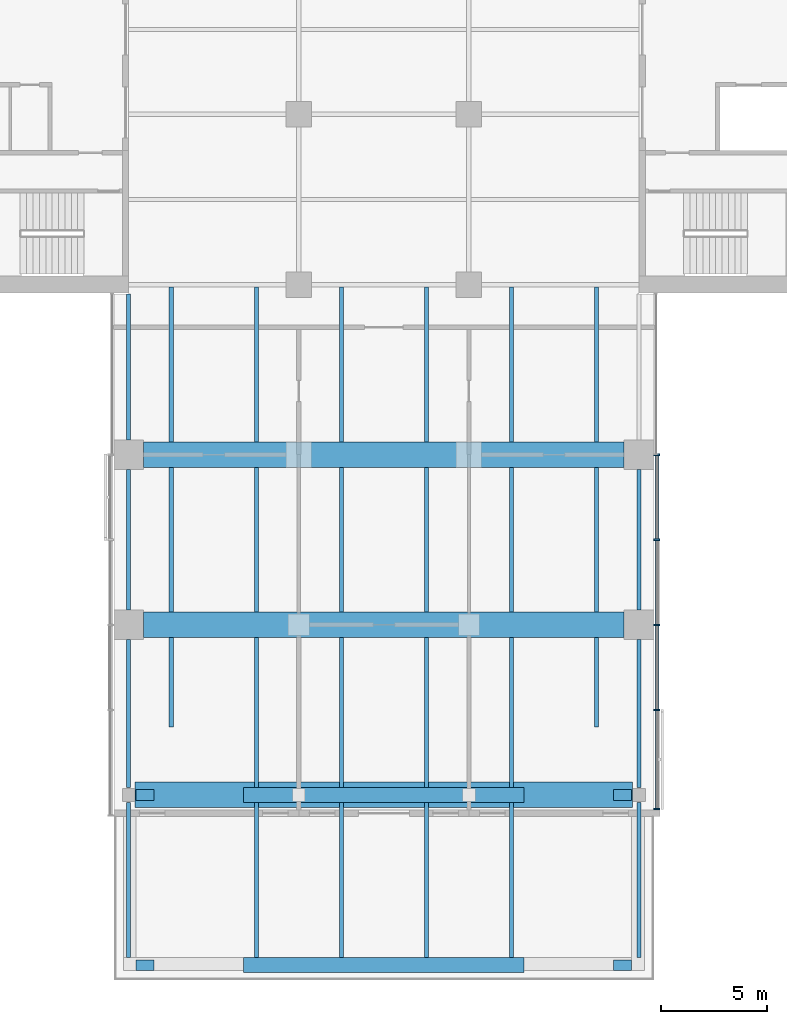
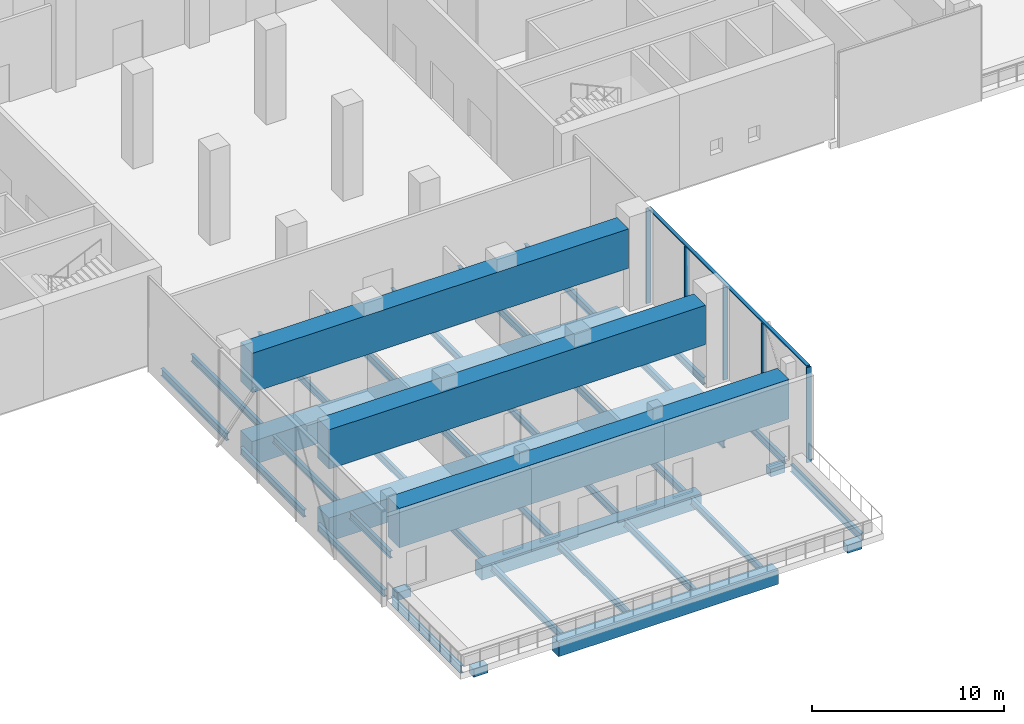
# One storey, part 4 of 23: 40 beams, 6 members, 1 element without a shape of its own.
"""IFC4 building model written with IfcOpenShell, lengths in metres."""

from ifc_helpers import new_model, si_unit, direction, frame, origin, origin_2d, place, context, subcontext, project, spatial, rectangle, i_section, extrude, material, material_profile, profile_set, type_object, element, aggregate, save


model = new_model("IFC4")

# Units and contexts
model_context = context("Model", 3, precision=1e-05, world=origin(), true_north=direction((0.0, 1.0)))
body_context = subcontext(model_context, "Body", "Model", "MODEL_VIEW")
ifc_project = project(units=[si_unit("LENGTHUNIT", "METRE"), si_unit("AREAUNIT", "SQUARE_METRE"), si_unit("VOLUMEUNIT", "CUBIC_METRE"), si_unit("PLANEANGLEUNIT", "RADIAN"), si_unit("MASSUNIT", "GRAM", prefix="KILO")], contexts=[model_context])

# Site, building, storey
site_placement = place(None, origin())
site = spatial("IfcSite", under=ifc_project, at=site_placement, CompositionType="ELEMENT")
building_placement = place(site_placement, origin())
building = spatial("IfcBuilding", under=site, at=building_placement, Name="Crosswind Convention Tower", CompositionType="ELEMENT")
storey_placement = place(building_placement, frame((0.0, 0.0, 47.5)))
storey = spatial("IfcBuildingStorey", under=building, at=storey_placement, Name="L06", CompositionType="ELEMENT", Elevation=47.5)

# Beams
ifc_material_1 = material(Name="Steel S355", Category="steel")
ifc_material_profile_1 = material_profile(ifc_material_1, i_section(OverallWidth=0.19189453125, OverallDepth=0.463623046875, WebThickness=0.010498046875, FlangeThickness=0.017578125, FilletRadius=0.01025390625, at=origin_2d()), Name="UB 457x191x90")
ifc_profile_set_1 = profile_set([ifc_material_profile_1], Name="Steel S355")
beam_type_1 = type_object("IfcBeamType", Name="Edge beam UB 457x191x90", PredefinedType="SPANDREL", material=ifc_profile_set_1)
beam_1_placement = place(storey_placement, frame((113.0, 56.35009765625, -0.6318359375), z_axis=(0.0, 1.0, 0.0), x_axis=(-1.0, 0.0, 0.0)))
element("IfcBeam", 1, at=beam_1_placement, inside=storey, type_object=beam_type_1, Name="B19 L06 edge beam 5", PredefinedType="SPANDREL", context=body_context, shape_type="SweptSolid", body=[
    extrude(i_section(OverallWidth=0.19189453125, OverallDepth=0.463623046875, WebThickness=0.010498046875, FlangeThickness=0.017578125, FilletRadius=0.01025390625, at=origin_2d()), origin(), (0.0, 0.0, 1.0), 7.2998046875),
])
beam_2_placement = place(storey_placement, frame((113.0, 64.35009765625, -0.6318359375), z_axis=(0.0, 1.0, 0.0), x_axis=(-1.0, 0.0, 0.0)))
element("IfcBeam", 2, at=beam_2_placement, inside=storey, type_object=beam_type_1, Name="B19 L06 edge beam 6", PredefinedType="SPANDREL", context=body_context, shape_type="SweptSolid", body=[
    extrude(i_section(OverallWidth=0.19189453125, OverallDepth=0.463623046875, WebThickness=0.010498046875, FlangeThickness=0.017578125, FilletRadius=0.01025390625, at=origin_2d()), origin(), (0.0, 0.0, 1.0), 6.949951171875),
])
beam_3_placement = place(storey_placement, frame((113.0, 72.699951171875, -0.6318359375), z_axis=(0.0, 1.0, 0.0), x_axis=(-1.0, 0.0, 0.0)))
element("IfcBeam", 3, at=beam_3_placement, inside=storey, type_object=beam_type_1, Name="B19 L06 edge beam 7", PredefinedType="SPANDREL", context=body_context, shape_type="SweptSolid", body=[
    extrude(i_section(OverallWidth=0.19189453125, OverallDepth=0.463623046875, WebThickness=0.010498046875, FlangeThickness=0.017578125, FilletRadius=0.01025390625, at=origin_2d()), origin(), (0.0, 0.0, 1.0), 6.60009765625),
])
beam_4_placement = place(storey_placement, frame((113.0, 80.699951171875, -0.6318359375), z_axis=(0.0, 1.0, 0.0), x_axis=(-1.0, 0.0, 0.0)))
element("IfcBeam", 4, at=beam_4_placement, inside=storey, type_object=beam_type_1, Name="B19 L06 edge beam 8", PredefinedType="SPANDREL", context=body_context, shape_type="SweptSolid", body=[
    extrude(i_section(OverallWidth=0.19189453125, OverallDepth=0.463623046875, WebThickness=0.010498046875, FlangeThickness=0.017578125, FilletRadius=0.01025390625, at=origin_2d()), origin(), (0.0, 0.0, 1.0), 6.85009765625),
])
beam_5_placement = place(storey_placement, frame((137.0, 56.35009765625, -0.6318359375), z_axis=(0.0, 1.0, 0.0), x_axis=(-1.0, 0.0, 0.0)))
element("IfcBeam", 5, at=beam_5_placement, inside=storey, type_object=beam_type_1, Name="B19 L06 edge beam 13", PredefinedType="SPANDREL", context=body_context, shape_type="SweptSolid", body=[
    extrude(i_section(OverallWidth=0.19189453125, OverallDepth=0.463623046875, WebThickness=0.010498046875, FlangeThickness=0.017578125, FilletRadius=0.01025390625, at=origin_2d()), origin(), (0.0, 0.0, 1.0), 7.2998046875),
])
beam_6_placement = place(storey_placement, frame((137.0, 64.35009765625, -0.6318359375), z_axis=(0.0, 1.0, 0.0), x_axis=(-1.0, 0.0, 0.0)))
element("IfcBeam", 6, at=beam_6_placement, inside=storey, type_object=beam_type_1, Name="B19 L06 edge beam 14", PredefinedType="SPANDREL", context=body_context, shape_type="SweptSolid", body=[
    extrude(i_section(OverallWidth=0.19189453125, OverallDepth=0.463623046875, WebThickness=0.010498046875, FlangeThickness=0.017578125, FilletRadius=0.01025390625, at=origin_2d()), origin(), (0.0, 0.0, 1.0), 6.949951171875),
])
beam_7_placement = place(storey_placement, frame((137.0, 72.699951171875, -0.6318359375), z_axis=(0.0, 1.0, 0.0), x_axis=(-1.0, 0.0, 0.0)))
element("IfcBeam", 7, at=beam_7_placement, inside=storey, type_object=beam_type_1, Name="B19 L06 edge beam 15", PredefinedType="SPANDREL", context=body_context, shape_type="SweptSolid", body=[
    extrude(i_section(OverallWidth=0.19189453125, OverallDepth=0.463623046875, WebThickness=0.010498046875, FlangeThickness=0.017578125, FilletRadius=0.01025390625, at=origin_2d()), origin(), (0.0, 0.0, 1.0), 6.60009765625),
])

# Curtain wall, members
ifc_material_2 = material(Name="Aluminium unitised curtain wall", Category="aluminium")
curtain_wall_type = type_object("IfcCurtainWallType", Name="SKY LOBBY AND LOUNGE WALL 280", PredefinedType="USERDEFINED", material=ifc_material_2)
curtain_wall_placement = place(storey_placement, origin())
curtain_wall = element("IfcCurtainWall", 8, at=curtain_wall_placement, inside=storey, type_object=curtain_wall_type, Name="CW4 L06 S-E 1", ObjectType="UNITISED", PredefinedType="USERDEFINED")
ifc_material_3 = material(Name="Aluminium mullion", Category="aluminium")
ifc_material_profile_2 = material_profile(ifc_material_3, rectangle(XDim=0.280029296875, YDim=0.074951171875, at=origin_2d()), Name="AL 280X75")
ifc_profile_set_2 = profile_set([ifc_material_profile_2], Name="Aluminium mullion")
member_type_1 = type_object("IfcMemberType", Name="MULLION 75X280", PredefinedType="MULLION", material=ifc_profile_set_2)
member_1_placement = place(storey_placement, frame((137.840087890625, 63.33740234375, -0.39990234375), z_axis=(0.0, 0.0, 1.0), x_axis=(1.0, 0.0, 0.0)))
member_1 = element("IfcMember", 9, at=member_1_placement, type_object=member_type_1, Name="CW4 mullion 1", PredefinedType="MULLION", context=body_context, shape_type="SweptSolid", body=[
    extrude(rectangle(XDim=0.280029296875, YDim=0.074951171875, at=origin_2d()), origin(), (0.0, 0.0, 1.0), 6.044921875),
])
member_2_placement = place(storey_placement, frame((137.840087890625, 68.0, -0.39990234375), z_axis=(0.0, 0.0, 1.0), x_axis=(1.0, 0.0, 0.0)))
member_2 = element("IfcMember", 10, at=member_2_placement, type_object=member_type_1, Name="CW4 mullion 2", PredefinedType="MULLION", context=body_context, shape_type="SweptSolid", body=[
    extrude(rectangle(XDim=0.280029296875, YDim=0.074951171875, at=origin_2d()), origin(), (0.0, 0.0, 1.0), 6.044921875),
])
member_3_placement = place(storey_placement, frame((137.840087890625, 72.0, -0.39990234375), z_axis=(0.0, 0.0, 1.0), x_axis=(1.0, 0.0, 0.0)))
member_3 = element("IfcMember", 11, at=member_3_placement, type_object=member_type_1, Name="CW4 mullion 3", PredefinedType="MULLION", context=body_context, shape_type="SweptSolid", body=[
    extrude(rectangle(XDim=0.280029296875, YDim=0.074951171875, at=origin_2d()), origin(), (0.0, 0.0, 1.0), 6.044921875),
])
member_4_placement = place(storey_placement, frame((137.840087890625, 76.0, -0.39990234375), z_axis=(0.0, 0.0, 1.0), x_axis=(1.0, 0.0, 0.0)))
member_4 = element("IfcMember", 12, at=member_4_placement, type_object=member_type_1, Name="CW4 mullion 4", PredefinedType="MULLION", context=body_context, shape_type="SweptSolid", body=[
    extrude(rectangle(XDim=0.280029296875, YDim=0.074951171875, at=origin_2d()), origin(), (0.0, 0.0, 1.0), 6.044921875),
])
member_5_placement = place(storey_placement, frame((137.840087890625, 80.0, -0.39990234375), z_axis=(0.0, 0.0, 1.0), x_axis=(1.0, 0.0, 0.0)))
member_5 = element("IfcMember", 13, at=member_5_placement, type_object=member_type_1, Name="CW4 mullion 5", PredefinedType="MULLION", context=body_context, shape_type="SweptSolid", body=[
    extrude(rectangle(XDim=0.280029296875, YDim=0.074951171875, at=origin_2d()), origin(), (0.0, 0.0, 1.0), 6.044921875),
])

# Beams
ifc_material_4 = material(Name="Concrete C70/85", Category="concrete")
ifc_material_profile_3 = material_profile(ifc_material_4, rectangle(XDim=1.199951171875, YDim=1.5, at=origin_2d()), Name="RC 1200X1500")
ifc_profile_set_3 = profile_set([ifc_material_profile_3], Name="Concrete C70/85")
beam_type_2 = type_object("IfcBeamType", Name="Prestressed concrete girder RC 1200X1500", PredefinedType="BEAM", material=ifc_profile_set_3)
for number, where, z_axis, x_axis, name in (
    (14, (113.699951171875, 72.0, -1.14990234375), (1.0, 0.0, 0.0), (0.0, 1.0, 0.0), "B39 L06 prestressed concrete girder 1"),
    (15, (113.699951171875, 80.0, -1.14990234375), (1.0, 0.0, 0.0), (0.0, 1.0, 0.0), "B39 L06 prestressed concrete girder 2"),
):
    element("IfcBeam", number, at=place(storey_placement, frame(where, z_axis=z_axis, x_axis=x_axis)), inside=storey, type_object=beam_type_2, Name=name, PredefinedType="BEAM", context=body_context, shape_type="SweptSolid", body=[
        extrude(rectangle(XDim=1.199951171875, YDim=1.5, at=origin_2d()), origin(), (0.0, 0.0, 1.0), 22.60009765625),
    ])
ifc_material_5 = material(Name="Concrete C60/75", Category="concrete")
ifc_material_profile_4 = material_profile(ifc_material_5, rectangle(XDim=0.699951171875, YDim=0.89990234375, at=origin_2d()), Name="RC 700X900")
ifc_profile_set_4 = profile_set([ifc_material_profile_4], Name="Concrete C60/75")
beam_type_3 = type_object("IfcBeamType", Name="Prestressed concrete girder between stair walls RC 700X900", PredefinedType="BEAM", material=ifc_profile_set_4)
for number, where, z_axis, x_axis, name in (
    (16, (118.39990234375, 56.0, -0.85009765625), (1.0, 0.0, 0.0), (0.0, 1.0, 0.0), "B41 L06 prestressed concrete girder between stair walls 3"),
    (17, (118.39990234375, 64.0, -0.85009765625), (1.0, 0.0, 0.0), (0.0, 1.0, 0.0), "B41 L06 prestressed concrete girder between stair walls 4"),
):
    element("IfcBeam", number, at=place(storey_placement, frame(where, z_axis=z_axis, x_axis=x_axis)), inside=storey, type_object=beam_type_3, Name=name, PredefinedType="BEAM", context=body_context, shape_type="SweptSolid", body=[
        extrude(rectangle(XDim=0.699951171875, YDim=0.89990234375, at=origin_2d()), origin(), (0.0, 0.0, 1.0), 13.2001953125),
    ])
ifc_material_profile_5 = material_profile(ifc_material_1, i_section(OverallWidth=0.1904296875, OverallDepth=0.457275390625, WebThickness=0.009033203125, FlangeThickness=0.014404296875, FilletRadius=0.01025390625, at=origin_2d()), Name="UB 457x191x75")
ifc_profile_set_5 = profile_set([ifc_material_profile_5], Name="Steel S355")
beam_type_4 = type_object("IfcBeamType", Name="Secondary beam UB 457x191x75", PredefinedType="JOIST", material=ifc_profile_set_5)
beam_8_placement = place(storey_placement, frame((115.0, 67.199951171875, -0.628662109375), z_axis=(0.0, 1.0, 0.0), x_axis=(-1.0, 0.0, 0.0)))
element("IfcBeam", 18, at=beam_8_placement, inside=storey, type_object=beam_type_4, Name="B12 L06 secondary beam 14", PredefinedType="JOIST", context=body_context, shape_type="SweptSolid", body=[
    extrude(i_section(OverallWidth=0.1904296875, OverallDepth=0.457275390625, WebThickness=0.009033203125, FlangeThickness=0.014404296875, FilletRadius=0.01025390625, at=origin_2d()), origin(), (0.0, 0.0, 1.0), 4.199951171875),
])
beam_9_placement = place(storey_placement, frame((115.0, 72.60009765625, -0.628662109375), z_axis=(0.0, 1.0, 0.0), x_axis=(-1.0, 0.0, 0.0)))
element("IfcBeam", 19, at=beam_9_placement, inside=storey, type_object=beam_type_4, Name="B12 L06 secondary beam 15", PredefinedType="JOIST", context=body_context, shape_type="SweptSolid", body=[
    extrude(i_section(OverallWidth=0.1904296875, OverallDepth=0.457275390625, WebThickness=0.009033203125, FlangeThickness=0.014404296875, FilletRadius=0.01025390625, at=origin_2d()), origin(), (0.0, 0.0, 1.0), 6.7998046875),
])
beam_10_placement = place(storey_placement, frame((115.0, 80.60009765625, -0.628662109375), z_axis=(0.0, 1.0, 0.0), x_axis=(-1.0, 0.0, 0.0)))
element("IfcBeam", 20, at=beam_10_placement, inside=storey, type_object=beam_type_4, Name="B12 L06 secondary beam 16", PredefinedType="JOIST", context=body_context, shape_type="SweptSolid", body=[
    extrude(i_section(OverallWidth=0.1904296875, OverallDepth=0.457275390625, WebThickness=0.009033203125, FlangeThickness=0.014404296875, FilletRadius=0.01025390625, at=origin_2d()), origin(), (0.0, 0.0, 1.0), 7.2939453125),
])
beam_11_placement = place(storey_placement, frame((119.0, 56.35009765625, -0.628662109375), z_axis=(0.0, 1.0, 0.0), x_axis=(-1.0, 0.0, 0.0)))
element("IfcBeam", 21, at=beam_11_placement, inside=storey, type_object=beam_type_4, Name="B12 L06 secondary beam 20", PredefinedType="JOIST", context=body_context, shape_type="SweptSolid", body=[
    extrude(i_section(OverallWidth=0.1904296875, OverallDepth=0.457275390625, WebThickness=0.009033203125, FlangeThickness=0.014404296875, FilletRadius=0.01025390625, at=origin_2d()), origin(), (0.0, 0.0, 1.0), 7.2998046875),
])
beam_12_placement = place(storey_placement, frame((119.0, 64.35009765625, -0.628662109375), z_axis=(0.0, 1.0, 0.0), x_axis=(-1.0, 0.0, 0.0)))
element("IfcBeam", 22, at=beam_12_placement, inside=storey, type_object=beam_type_4, Name="B12 L06 secondary beam 21", PredefinedType="JOIST", context=body_context, shape_type="SweptSolid", body=[
    extrude(i_section(OverallWidth=0.1904296875, OverallDepth=0.457275390625, WebThickness=0.009033203125, FlangeThickness=0.014404296875, FilletRadius=0.01025390625, at=origin_2d()), origin(), (0.0, 0.0, 1.0), 7.0498046875),
])
beam_13_placement = place(storey_placement, frame((119.0, 72.60009765625, -0.628662109375), z_axis=(0.0, 1.0, 0.0), x_axis=(-1.0, 0.0, 0.0)))
element("IfcBeam", 23, at=beam_13_placement, inside=storey, type_object=beam_type_4, Name="B12 L06 secondary beam 22", PredefinedType="JOIST", context=body_context, shape_type="SweptSolid", body=[
    extrude(i_section(OverallWidth=0.1904296875, OverallDepth=0.457275390625, WebThickness=0.009033203125, FlangeThickness=0.014404296875, FilletRadius=0.01025390625, at=origin_2d()), origin(), (0.0, 0.0, 1.0), 6.7998046875),
])
beam_14_placement = place(storey_placement, frame((119.0, 80.60009765625, -0.628662109375), z_axis=(0.0, 1.0, 0.0), x_axis=(-1.0, 0.0, 0.0)))
element("IfcBeam", 24, at=beam_14_placement, inside=storey, type_object=beam_type_4, Name="B12 L06 secondary beam 23", PredefinedType="JOIST", context=body_context, shape_type="SweptSolid", body=[
    extrude(i_section(OverallWidth=0.1904296875, OverallDepth=0.457275390625, WebThickness=0.009033203125, FlangeThickness=0.014404296875, FilletRadius=0.01025390625, at=origin_2d()), origin(), (0.0, 0.0, 1.0), 7.2939453125),
])
beam_15_placement = place(storey_placement, frame((123.0, 56.35009765625, -0.628662109375), z_axis=(0.0, 1.0, 0.0), x_axis=(-1.0, 0.0, 0.0)))
element("IfcBeam", 25, at=beam_15_placement, inside=storey, type_object=beam_type_4, Name="B12 L06 secondary beam 31", PredefinedType="JOIST", context=body_context, shape_type="SweptSolid", body=[
    extrude(i_section(OverallWidth=0.1904296875, OverallDepth=0.457275390625, WebThickness=0.009033203125, FlangeThickness=0.014404296875, FilletRadius=0.01025390625, at=origin_2d()), origin(), (0.0, 0.0, 1.0), 7.2998046875),
])
beam_16_placement = place(storey_placement, frame((123.0, 64.35009765625, -0.628662109375), z_axis=(0.0, 1.0, 0.0), x_axis=(-1.0, 0.0, 0.0)))
element("IfcBeam", 26, at=beam_16_placement, inside=storey, type_object=beam_type_4, Name="B12 L06 secondary beam 32", PredefinedType="JOIST", context=body_context, shape_type="SweptSolid", body=[
    extrude(i_section(OverallWidth=0.1904296875, OverallDepth=0.457275390625, WebThickness=0.009033203125, FlangeThickness=0.014404296875, FilletRadius=0.01025390625, at=origin_2d()), origin(), (0.0, 0.0, 1.0), 7.0498046875),
])
beam_17_placement = place(storey_placement, frame((123.0, 72.60009765625, -0.628662109375), z_axis=(0.0, 1.0, 0.0), x_axis=(-1.0, 0.0, 0.0)))
element("IfcBeam", 27, at=beam_17_placement, inside=storey, type_object=beam_type_4, Name="B12 L06 secondary beam 33", PredefinedType="JOIST", context=body_context, shape_type="SweptSolid", body=[
    extrude(i_section(OverallWidth=0.1904296875, OverallDepth=0.457275390625, WebThickness=0.009033203125, FlangeThickness=0.014404296875, FilletRadius=0.01025390625, at=origin_2d()), origin(), (0.0, 0.0, 1.0), 6.7998046875),
])
beam_18_placement = place(storey_placement, frame((123.0, 80.60009765625, -0.628662109375), z_axis=(0.0, 1.0, 0.0), x_axis=(-1.0, 0.0, 0.0)))
element("IfcBeam", 28, at=beam_18_placement, inside=storey, type_object=beam_type_4, Name="B12 L06 secondary beam 34", PredefinedType="JOIST", context=body_context, shape_type="SweptSolid", body=[
    extrude(i_section(OverallWidth=0.1904296875, OverallDepth=0.457275390625, WebThickness=0.009033203125, FlangeThickness=0.014404296875, FilletRadius=0.01025390625, at=origin_2d()), origin(), (0.0, 0.0, 1.0), 7.29443359375),
])
beam_19_placement = place(storey_placement, frame((127.0, 56.35009765625, -0.628662109375), z_axis=(0.0, 1.0, 0.0), x_axis=(-1.0, 0.0, 0.0)))
element("IfcBeam", 29, at=beam_19_placement, inside=storey, type_object=beam_type_4, Name="B12 L06 secondary beam 39", PredefinedType="JOIST", context=body_context, shape_type="SweptSolid", body=[
    extrude(i_section(OverallWidth=0.1904296875, OverallDepth=0.457275390625, WebThickness=0.009033203125, FlangeThickness=0.014404296875, FilletRadius=0.01025390625, at=origin_2d()), origin(), (0.0, 0.0, 1.0), 7.2998046875),
])
beam_20_placement = place(storey_placement, frame((127.0, 64.35009765625, -0.628662109375), z_axis=(0.0, 1.0, 0.0), x_axis=(-1.0, 0.0, 0.0)))
element("IfcBeam", 30, at=beam_20_placement, inside=storey, type_object=beam_type_4, Name="B12 L06 secondary beam 40", PredefinedType="JOIST", context=body_context, shape_type="SweptSolid", body=[
    extrude(i_section(OverallWidth=0.1904296875, OverallDepth=0.457275390625, WebThickness=0.009033203125, FlangeThickness=0.014404296875, FilletRadius=0.01025390625, at=origin_2d()), origin(), (0.0, 0.0, 1.0), 7.0498046875),
])
beam_21_placement = place(storey_placement, frame((127.0, 72.60009765625, -0.628662109375), z_axis=(0.0, 1.0, 0.0), x_axis=(-1.0, 0.0, 0.0)))
element("IfcBeam", 31, at=beam_21_placement, inside=storey, type_object=beam_type_4, Name="B12 L06 secondary beam 41", PredefinedType="JOIST", context=body_context, shape_type="SweptSolid", body=[
    extrude(i_section(OverallWidth=0.1904296875, OverallDepth=0.457275390625, WebThickness=0.009033203125, FlangeThickness=0.014404296875, FilletRadius=0.01025390625, at=origin_2d()), origin(), (0.0, 0.0, 1.0), 6.7998046875),
])
beam_22_placement = place(storey_placement, frame((127.0, 80.60009765625, -0.628662109375), z_axis=(0.0, 1.0, 0.0), x_axis=(-1.0, 0.0, 0.0)))
element("IfcBeam", 32, at=beam_22_placement, inside=storey, type_object=beam_type_4, Name="B12 L06 secondary beam 42", PredefinedType="JOIST", context=body_context, shape_type="SweptSolid", body=[
    extrude(i_section(OverallWidth=0.1904296875, OverallDepth=0.457275390625, WebThickness=0.009033203125, FlangeThickness=0.014404296875, FilletRadius=0.01025390625, at=origin_2d()), origin(), (0.0, 0.0, 1.0), 7.29443359375),
])
beam_23_placement = place(storey_placement, frame((131.0, 56.35009765625, -0.628662109375), z_axis=(0.0, 1.0, 0.0), x_axis=(-1.0, 0.0, 0.0)))
element("IfcBeam", 33, at=beam_23_placement, inside=storey, type_object=beam_type_4, Name="B12 L06 secondary beam 50", PredefinedType="JOIST", context=body_context, shape_type="SweptSolid", body=[
    extrude(i_section(OverallWidth=0.1904296875, OverallDepth=0.457275390625, WebThickness=0.009033203125, FlangeThickness=0.014404296875, FilletRadius=0.01025390625, at=origin_2d()), origin(), (0.0, 0.0, 1.0), 7.2998046875),
])
beam_24_placement = place(storey_placement, frame((131.0, 64.35009765625, -0.628662109375), z_axis=(0.0, 1.0, 0.0), x_axis=(-1.0, 0.0, 0.0)))
element("IfcBeam", 34, at=beam_24_placement, inside=storey, type_object=beam_type_4, Name="B12 L06 secondary beam 51", PredefinedType="JOIST", context=body_context, shape_type="SweptSolid", body=[
    extrude(i_section(OverallWidth=0.1904296875, OverallDepth=0.457275390625, WebThickness=0.009033203125, FlangeThickness=0.014404296875, FilletRadius=0.01025390625, at=origin_2d()), origin(), (0.0, 0.0, 1.0), 7.0498046875),
])
beam_25_placement = place(storey_placement, frame((131.0, 72.60009765625, -0.628662109375), z_axis=(0.0, 1.0, 0.0), x_axis=(-1.0, 0.0, 0.0)))
element("IfcBeam", 35, at=beam_25_placement, inside=storey, type_object=beam_type_4, Name="B12 L06 secondary beam 52", PredefinedType="JOIST", context=body_context, shape_type="SweptSolid", body=[
    extrude(i_section(OverallWidth=0.1904296875, OverallDepth=0.457275390625, WebThickness=0.009033203125, FlangeThickness=0.014404296875, FilletRadius=0.01025390625, at=origin_2d()), origin(), (0.0, 0.0, 1.0), 6.7998046875),
])
beam_26_placement = place(storey_placement, frame((131.0, 80.60009765625, -0.628662109375), z_axis=(0.0, 1.0, 0.0), x_axis=(-1.0, 0.0, 0.0)))
element("IfcBeam", 36, at=beam_26_placement, inside=storey, type_object=beam_type_4, Name="B12 L06 secondary beam 53", PredefinedType="JOIST", context=body_context, shape_type="SweptSolid", body=[
    extrude(i_section(OverallWidth=0.1904296875, OverallDepth=0.457275390625, WebThickness=0.009033203125, FlangeThickness=0.014404296875, FilletRadius=0.01025390625, at=origin_2d()), origin(), (0.0, 0.0, 1.0), 7.2939453125),
])
beam_27_placement = place(storey_placement, frame((135.0, 67.199951171875, -0.628662109375), z_axis=(0.0, 1.0, 0.0), x_axis=(-1.0, 0.0, 0.0)))
element("IfcBeam", 37, at=beam_27_placement, inside=storey, type_object=beam_type_4, Name="B12 L06 secondary beam 58", PredefinedType="JOIST", context=body_context, shape_type="SweptSolid", body=[
    extrude(i_section(OverallWidth=0.1904296875, OverallDepth=0.457275390625, WebThickness=0.009033203125, FlangeThickness=0.014404296875, FilletRadius=0.01025390625, at=origin_2d()), origin(), (0.0, 0.0, 1.0), 4.199951171875),
])
beam_28_placement = place(storey_placement, frame((135.0, 72.60009765625, -0.628662109375), z_axis=(0.0, 1.0, 0.0), x_axis=(-1.0, 0.0, 0.0)))
element("IfcBeam", 38, at=beam_28_placement, inside=storey, type_object=beam_type_4, Name="B12 L06 secondary beam 59", PredefinedType="JOIST", context=body_context, shape_type="SweptSolid", body=[
    extrude(i_section(OverallWidth=0.1904296875, OverallDepth=0.457275390625, WebThickness=0.009033203125, FlangeThickness=0.014404296875, FilletRadius=0.01025390625, at=origin_2d()), origin(), (0.0, 0.0, 1.0), 6.7998046875),
])
beam_29_placement = place(storey_placement, frame((135.0, 80.60009765625, -0.628662109375), z_axis=(0.0, 1.0, 0.0), x_axis=(-1.0, 0.0, 0.0)))
element("IfcBeam", 39, at=beam_29_placement, inside=storey, type_object=beam_type_4, Name="B12 L06 secondary beam 60", PredefinedType="JOIST", context=body_context, shape_type="SweptSolid", body=[
    extrude(i_section(OverallWidth=0.1904296875, OverallDepth=0.457275390625, WebThickness=0.009033203125, FlangeThickness=0.014404296875, FilletRadius=0.01025390625, at=origin_2d()), origin(), (0.0, 0.0, 1.0), 7.2939453125),
])
ifc_material_profile_6 = material_profile(ifc_material_5, rectangle(XDim=0.5, YDim=0.5, at=origin_2d()), Name="RC 500X500")
ifc_profile_set_6 = profile_set([ifc_material_profile_6], Name="Concrete C60/75")
beam_type_5 = type_object("IfcBeamType", Name="Slab edge tie beam RC 500X500", PredefinedType="BEAM", material=ifc_profile_set_6)
for number, where, z_axis, x_axis, name in (
    (40, (113.35009765625, 56.0, -0.64990234375), (1.0, 0.0, 0.0), (0.0, 1.0, 0.0), "B42 L06 slab edge tie beam 5"),
    (41, (113.35009765625, 64.0, -0.64990234375), (1.0, 0.0, 0.0), (0.0, 1.0, 0.0), "B42 L06 slab edge tie beam 6"),
    (42, (135.800048828125, 56.0, -0.64990234375), (1.0, 0.0, 0.0), (0.0, 1.0, 0.0), "B42 L06 slab edge tie beam 9"),
    (43, (135.800048828125, 64.0, -0.64990234375), (1.0, 0.0, 0.0), (0.0, 1.0, 0.0), "B42 L06 slab edge tie beam 10"),
):
    element("IfcBeam", number, at=place(storey_placement, frame(where, z_axis=z_axis, x_axis=x_axis)), inside=storey, type_object=beam_type_5, Name=name, PredefinedType="BEAM", context=body_context, shape_type="SweptSolid", body=[
        extrude(rectangle(XDim=0.5, YDim=0.5, at=origin_2d()), origin(), (0.0, 0.0, 1.0), 0.849853515625),
    ])

# Member
ifc_material_6 = material(Name="Aluminium transom", Category="aluminium")
ifc_material_profile_7 = material_profile(ifc_material_6, rectangle(XDim=0.199951171875, YDim=0.074951171875, at=origin_2d()), Name="AL 200X75")
ifc_profile_set_7 = profile_set([ifc_material_profile_7], Name="Aluminium transom")
member_type_2 = type_object("IfcMemberType", Name="TRANSOM 75X200", PredefinedType="USERDEFINED", material=ifc_profile_set_7)
member_6_placement = place(storey_placement, frame((137.840087890625, 63.375, 5.6826171875), z_axis=(0.0, 1.0, 0.0), x_axis=(-1.0, 0.0, 0.0)))
member_6 = element("IfcMember", 44, at=member_6_placement, type_object=member_type_2, Name="CW4 transom", ObjectType="TRANSOM", PredefinedType="USERDEFINED", context=body_context, shape_type="SweptSolid", body=[
    extrude(rectangle(XDim=0.199951171875, YDim=0.074951171875, at=origin_2d()), origin(), (0.0, 0.0, 1.0), 16.58740234375),
])

aggregate(curtain_wall, [member_1, member_2, member_3, member_4, member_5, member_6])

# Beams
ifc_material_profile_8 = material_profile(ifc_material_4, rectangle(XDim=1.199951171875, YDim=2.5, at=origin_2d()), Name="RC 1200X2500")
ifc_profile_set_8 = profile_set([ifc_material_profile_8], Name="Concrete C70/85")
beam_type_6 = type_object("IfcBeamType", Name="Transfer girder RC 1200X2500", PredefinedType="BEAM", material=ifc_profile_set_8)
for number, where, z_axis, x_axis, name in (
    (45, (113.699951171875, 80.0, 3.949951171875), (1.0, 0.0, 0.0), (0.0, 1.0, 0.0), "B40 L06 transfer girder S20"),
    (46, (113.699951171875, 72.0, 3.949951171875), (1.0, 0.0, 0.0), (0.0, 1.0, 0.0), "B40 L06 transfer girder S28"),
):
    element("IfcBeam", number, at=place(storey_placement, frame(where, z_axis=z_axis, x_axis=x_axis)), inside=storey, type_object=beam_type_6, Name=name, PredefinedType="BEAM", context=body_context, shape_type="SweptSolid", body=[
        extrude(rectangle(XDim=1.199951171875, YDim=2.5, at=origin_2d()), origin(), (0.0, 0.0, 1.0), 22.60009765625),
    ])
beam_30_placement = place(storey_placement, frame((113.300048828125, 64.0, 3.949951171875), z_axis=(1.0, 0.0, 0.0), x_axis=(0.0, 1.0, 0.0)))
element("IfcBeam", 47, at=beam_30_placement, inside=storey, type_object=beam_type_6, Name="B40 L06 transfer girder S36", PredefinedType="BEAM", context=body_context, shape_type="SweptSolid", body=[
    extrude(rectangle(XDim=1.199951171875, YDim=2.5, at=origin_2d()), origin(), (0.0, 0.0, 1.0), 23.39990234375),
])

save(model, "model.ifc")
